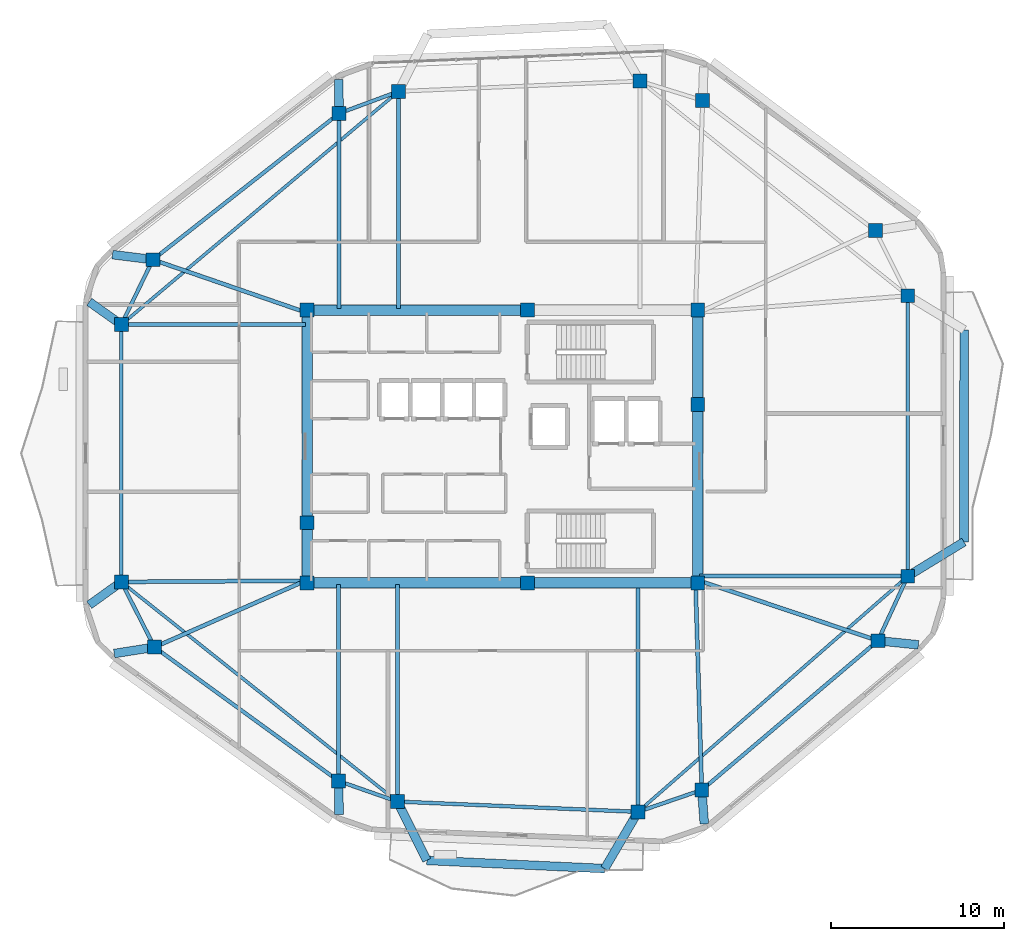
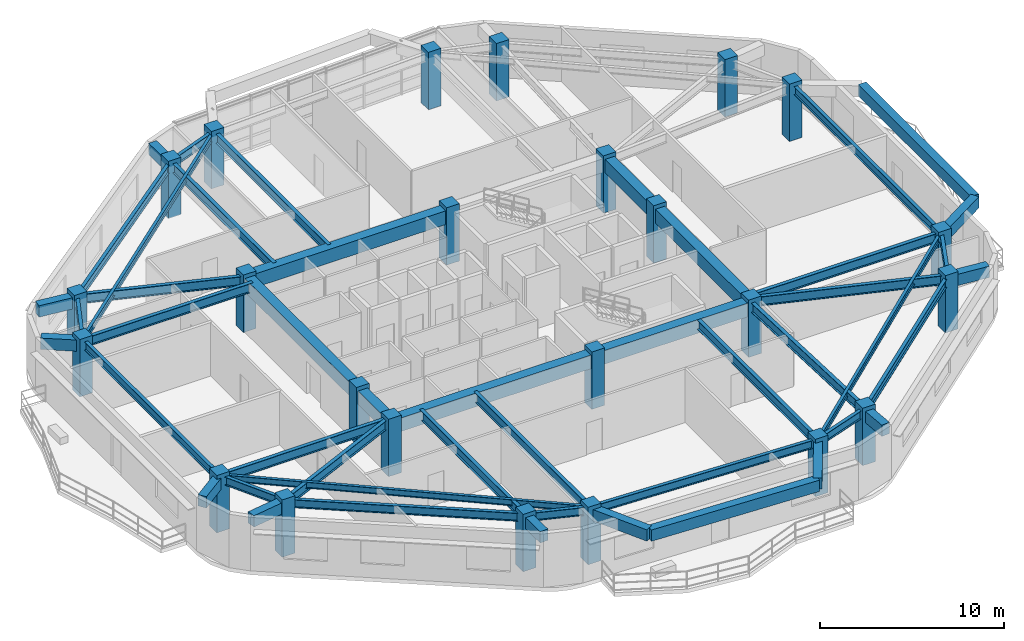
# One storey, part 1 of 12: 47 beams, 24 columns.
"""IFC4 building model written with IfcOpenShell, lengths in metres."""

from ifc_helpers import new_model, si_unit, direction, frame, origin, origin_2d, place, context, subcontext, project, spatial, rectangle, i_section, extrude, material, material_profile, profile_set, type_object, element, save


model = new_model("IFC4")

# Units and contexts
model_context = context("Model", 3, precision=1e-05, world=origin(), true_north=direction((0.0, 1.0)))
body_context = subcontext(model_context, "Body", "Model", "MODEL_VIEW")
ifc_project = project(units=[si_unit("LENGTHUNIT", "METRE"), si_unit("AREAUNIT", "SQUARE_METRE"), si_unit("VOLUMEUNIT", "CUBIC_METRE"), si_unit("PLANEANGLEUNIT", "RADIAN"), si_unit("MASSUNIT", "GRAM", prefix="KILO")], contexts=[model_context])

# Site, building, storey
site_placement = place(None, origin())
site = spatial("IfcSite", under=ifc_project, at=site_placement, CompositionType="ELEMENT")
building_placement = place(site_placement, origin())
building = spatial("IfcBuilding", under=site, at=building_placement, Name="Zulverin Broadcast Headquarters", CompositionType="ELEMENT")
storey_placement = place(building_placement, frame((0.0, 0.0, 293.39990234375)))
storey = spatial("IfcBuildingStorey", under=building, at=storey_placement, Name="L75", CompositionType="ELEMENT", Elevation=293.39990234375)

# Columns
ifc_material_1 = material(Name="Concrete C50/60", Category="concrete")
ifc_material_profile_1 = material_profile(ifc_material_1, rectangle(XDim=0.800048828125, YDim=0.800048828125, at=origin_2d()), Name="Concrete C50/60", Category="concrete")
ifc_profile_set_1 = profile_set([ifc_material_profile_1], Name="Concrete C50/60")
column_type_1 = type_object("IfcColumnType", Name="COL-RC-800", PredefinedType="COLUMN", material=ifc_profile_set_1)
for number, where, z_axis, x_axis, name in (
    (1, (30.93359375, 4.703125, 0.0), (0.0, 0.0, 1.0), (1.0, 0.0, 0.0), "L75 Perimeter Column T01"),
    (2, (44.826904296875, 4.1083984375, 0.0), (0.0, 0.0, 1.0), (1.0, 0.0, 0.0), "L75 Perimeter Column T02"),
    (3, (48.5078125, 5.3701171875, 0.0), (0.0, 0.0, 1.0), (1.0, 0.0, 0.0), "L75 Perimeter Column T03"),
    (4, (58.6748046875, 13.9892578125, 0.0), (0.0, 0.0, 1.0), (1.0, 0.0, 0.0), "L75 Perimeter Column T04"),
    (5, (60.39990234375, 17.713623046875, 0.0), (0.0, 0.0, 1.0), (1.0, 0.0, 0.0), "L75 Perimeter Column T05"),
    (6, (60.39990234375, 33.903076171875, 0.0), (0.0, 0.0, 1.0), (1.0, 0.0, 0.0), "L75 Perimeter Column T06"),
    (7, (58.52587890625, 37.661865234375, 0.0), (0.0, 0.0, 1.0), (1.0, 0.0, 0.0), "L75 Perimeter Column T07"),
    (8, (48.55908203125, 45.172607421875, 0.0), (0.0, 0.0, 1.0), (1.0, 0.0, 0.0), "L75 Perimeter Column T08"),
    (9, (44.944580078125, 46.296630859375, 0.0), (0.0, 0.0, 1.0), (1.0, 0.0, 0.0), "L75 Perimeter Column T09"),
    (10, (31.006591796875, 45.699951171875, 0.0), (0.0, 0.0, 1.0), (1.0, 0.0, 0.0), "L75 Perimeter Column T10"),
    (11, (27.573486328125, 44.4296875, 0.0), (0.0, 0.0, 1.0), (1.0, 0.0, 0.0), "L75 Perimeter Column T11"),
    (12, (16.82177734375, 35.98388671875, 0.0), (0.0, 0.0, 1.0), (1.0, 0.0, 0.0), "L75 Perimeter Column T12"),
    (13, (15.0, 32.236083984375, 0.0), (0.0, 0.0, 1.0), (1.0, 0.0, 0.0), "L75 Perimeter Column T13"),
    (14, (15.0, 17.383056640625, 0.0), (0.0, 0.0, 1.0), (1.0, 0.0, 0.0), "L75 Perimeter Column T14"),
    (15, (16.918212890625, 13.61572265625, 0.0), (0.0, 0.0, 1.0), (1.0, 0.0, 0.0), "L75 Perimeter Column T15"),
    (16, (27.54541015625, 5.8857421875, 0.0), (0.0, 0.0, 1.0), (1.0, 0.0, 0.0), "L75 Perimeter Column T16"),
):
    element("IfcColumn", number, at=place(storey_placement, frame(where, z_axis=z_axis, x_axis=x_axis)), inside=storey, type_object=column_type_1, Name=name, PredefinedType="COLUMN", context=body_context, shape_type="SweptSolid", body=[
        extrude(rectangle(XDim=0.800048828125, YDim=0.800048828125, at=origin_2d()), origin(), (0.0, 0.0, 1.0), 3.800048828125),
    ])
ifc_material_profile_2 = material_profile(ifc_material_1, rectangle(XDim=0.800048828125, YDim=0.800048828125, at=origin_2d()), Name="Concrete C50/60", Category="concrete")
ifc_profile_set_2 = profile_set([ifc_material_profile_2], Name="Concrete C50/60")
column_type_2 = type_object("IfcColumnType", Name="PIL-RC-800", PredefinedType="PILASTER", material=ifc_profile_set_2)
for number, where, z_axis, x_axis, name in (
    (17, (25.72509765625, 17.324951171875, 0.0), (0.0, 0.0, 1.0), (1.0, 0.0, 0.0), "L75 Core Pilaster K01"),
    (18, (38.449951171875, 17.324951171875, 0.0), (0.0, 0.0, 1.0), (1.0, 0.0, 0.0), "L75 Core Pilaster K02"),
    (19, (48.27490234375, 17.324951171875, 0.0), (0.0, 0.0, 1.0), (1.0, 0.0, 0.0), "L75 Core Pilaster K03"),
    (20, (48.27490234375, 27.6201171875, 0.0), (0.0, 0.0, 1.0), (1.0, 0.0, 0.0), "L75 Core Pilaster K04"),
    (21, (48.27490234375, 33.074951171875, 0.0), (0.0, 0.0, 1.0), (1.0, 0.0, 0.0), "L75 Core Pilaster K05"),
    (22, (38.449951171875, 33.074951171875, 0.0), (0.0, 0.0, 1.0), (1.0, 0.0, 0.0), "L75 Core Pilaster K06"),
    (23, (25.72509765625, 33.074951171875, 0.0), (0.0, 0.0, 1.0), (1.0, 0.0, 0.0), "L75 Core Pilaster K07"),
    (24, (25.72509765625, 20.800048828125, 0.0), (0.0, 0.0, 1.0), (1.0, 0.0, 0.0), "L75 Core Pilaster K08"),
):
    element("IfcColumn", number, at=place(storey_placement, frame(where, z_axis=z_axis, x_axis=x_axis)), inside=storey, type_object=column_type_2, Name=name, PredefinedType="PILASTER", context=body_context, shape_type="SweptSolid", body=[
        extrude(rectangle(XDim=0.800048828125, YDim=0.800048828125, at=origin_2d()), origin(), (0.0, 0.0, 1.0), 3.800048828125),
    ])

# Beams
ifc_material_2 = material(Name="Concrete C60/75", Category="concrete")
ifc_material_profile_3 = material_profile(ifc_material_2, rectangle(XDim=0.60009765625, YDim=0.89990234375, at=origin_2d()), Name="Concrete C60/75", Category="concrete")
ifc_profile_set_3 = profile_set([ifc_material_profile_3], Name="Concrete C60/75")
beam_type_1 = type_object("IfcBeamType", Name="BM-CB-600x900", PredefinedType="LINTEL", material=ifc_profile_set_3)
beam_1_placement = place(storey_placement, frame((25.72509765625, 17.324951171875, 3.090087890625), z_axis=(1.0, 0.0, 0.0), x_axis=(0.0, 1.0, 0.0)))
element("IfcBeam", 25, at=beam_1_placement, inside=storey, type_object=beam_type_1, Name="L75 Core Coupling Girder K01-K02", PredefinedType="LINTEL", context=body_context, shape_type="SweptSolid", body=[
    extrude(rectangle(XDim=0.60009765625, YDim=0.89990234375, at=origin_2d()), origin(), (0.0, 0.0, 1.0), 12.724853515625),
])
beam_2_placement = place(storey_placement, frame((38.449951171875, 17.324951171875, 3.090087890625), z_axis=(1.0, 0.0, 0.0), x_axis=(0.0, 1.0, 0.0)))
element("IfcBeam", 26, at=beam_2_placement, inside=storey, type_object=beam_type_1, Name="L75 Core Coupling Girder K02-K03", PredefinedType="LINTEL", context=body_context, shape_type="SweptSolid", body=[
    extrude(rectangle(XDim=0.60009765625, YDim=0.89990234375, at=origin_2d()), origin(), (0.0, 0.0, 1.0), 9.824951171875),
])
beam_3_placement = place(storey_placement, frame((48.27490234375, 17.324951171875, 3.090087890625), z_axis=(0.0, 1.0, 0.0), x_axis=(-1.0, 0.0, 0.0)))
element("IfcBeam", 27, at=beam_3_placement, inside=storey, type_object=beam_type_1, Name="L75 Core Coupling Girder K03-K04", PredefinedType="LINTEL", context=body_context, shape_type="SweptSolid", body=[
    extrude(rectangle(XDim=0.60009765625, YDim=0.89990234375, at=origin_2d()), origin(), (0.0, 0.0, 1.0), 10.295166015625),
])
beam_4_placement = place(storey_placement, frame((48.27490234375, 27.6201171875, 3.090087890625), z_axis=(0.0, 1.0, 0.0), x_axis=(-1.0, 0.0, 0.0)))
element("IfcBeam", 28, at=beam_4_placement, inside=storey, type_object=beam_type_1, Name="L75 Core Coupling Girder K04-K05", PredefinedType="LINTEL", context=body_context, shape_type="SweptSolid", body=[
    extrude(rectangle(XDim=0.60009765625, YDim=0.89990234375, at=origin_2d()), origin(), (0.0, 0.0, 1.0), 5.454833984375),
])
beam_5_placement = place(storey_placement, frame((38.449951171875, 33.074951171875, 3.090087890625), z_axis=(-1.0, 0.0, 0.0), x_axis=(0.0, -1.0, 0.0)))
element("IfcBeam", 29, at=beam_5_placement, inside=storey, type_object=beam_type_1, Name="L75 Core Coupling Girder K06-K07", PredefinedType="LINTEL", context=body_context, shape_type="SweptSolid", body=[
    extrude(rectangle(XDim=0.60009765625, YDim=0.89990234375, at=origin_2d()), origin(), (0.0, 0.0, 1.0), 12.724853515625),
])
beam_6_placement = place(storey_placement, frame((25.72509765625, 33.074951171875, 3.090087890625), z_axis=(0.0, -1.0, 0.0), x_axis=(1.0, 0.0, 0.0)))
element("IfcBeam", 30, at=beam_6_placement, inside=storey, type_object=beam_type_1, Name="L75 Core Coupling Girder K07-K08", PredefinedType="LINTEL", context=body_context, shape_type="SweptSolid", body=[
    extrude(rectangle(XDim=0.60009765625, YDim=0.89990234375, at=origin_2d()), origin(), (0.0, 0.0, 1.0), 12.27490234375),
])
beam_7_placement = place(storey_placement, frame((25.72509765625, 20.800048828125, 3.090087890625), z_axis=(0.0, -1.0, 0.0), x_axis=(1.0, 0.0, 0.0)))
element("IfcBeam", 31, at=beam_7_placement, inside=storey, type_object=beam_type_1, Name="L75 Core Coupling Girder K08-K01", PredefinedType="LINTEL", context=body_context, shape_type="SweptSolid", body=[
    extrude(rectangle(XDim=0.60009765625, YDim=0.89990234375, at=origin_2d()), origin(), (0.0, 0.0, 1.0), 3.47509765625),
])
ifc_material_3 = material(Name="Concrete C40/50", Category="concrete")
ifc_material_profile_4 = material_profile(ifc_material_3, rectangle(XDim=0.5, YDim=0.75, at=origin_2d()), Name="Concrete C40/50", Category="concrete")
ifc_profile_set_4 = profile_set([ifc_material_profile_4], Name="Concrete C40/50")
beam_type_2 = type_object("IfcBeamType", Name="BM-RC-500x750", PredefinedType="BEAM", material=ifc_profile_set_4)
beam_8_placement = place(storey_placement, frame((48.5078125, 5.3701171875, 3.1650390625), z_axis=(0.074434680239, -0.997225891349, 0.0), x_axis=(0.997225891349, 0.074434680239, 0.0)))
element("IfcBeam", 32, at=beam_8_placement, inside=storey, type_object=beam_type_2, Name="L76 Plate Overhang Back-Spanned Beam OVR-03", PredefinedType="BEAM", context=body_context, shape_type="SweptSolid", body=[
    extrude(rectangle(XDim=0.5, YDim=0.75, at=origin_2d()), origin(), (0.0, 0.0, 1.0), 1.964599609375),
])
beam_9_placement = place(storey_placement, frame((58.6748046875, 13.9892578125, 3.1650390625), z_axis=(0.994775761489, -0.10208420227, 0.0), x_axis=(0.10208420227, 0.994775761489, 0.0)))
element("IfcBeam", 33, at=beam_9_placement, inside=storey, type_object=beam_type_2, Name="L76 Plate Overhang Back-Spanned Beam OVR-04", PredefinedType="BEAM", context=body_context, shape_type="SweptSolid", body=[
    extrude(rectangle(XDim=0.5, YDim=0.75, at=origin_2d()), origin(), (0.0, 0.0, 1.0), 2.350830078125),
])
beam_10_placement = place(storey_placement, frame((27.573486328125, 44.4296875, 3.1650390625), z_axis=(-0.015261577794, 0.99988353534, 0.0), x_axis=(-0.99988353534, -0.015261577794, 0.0)))
element("IfcBeam", 34, at=beam_10_placement, inside=storey, type_object=beam_type_2, Name="L76 Plate Overhang Back-Spanned Beam OVR-11", PredefinedType="BEAM", context=body_context, shape_type="SweptSolid", body=[
    extrude(rectangle(XDim=0.5, YDim=0.75, at=origin_2d()), origin(), (0.0, 0.0, 1.0), 1.95166015625),
])
beam_11_placement = place(storey_placement, frame((16.82177734375, 35.98388671875, 3.1650390625), z_axis=(-0.992249101717, 0.124264718012, 0.0), x_axis=(-0.124264718012, -0.992249101717, 0.0)))
element("IfcBeam", 35, at=beam_11_placement, inside=storey, type_object=beam_type_2, Name="L76 Plate Overhang Back-Spanned Beam OVR-12", PredefinedType="BEAM", context=body_context, shape_type="SweptSolid", body=[
    extrude(rectangle(XDim=0.5, YDim=0.75, at=origin_2d()), origin(), (0.0, 0.0, 1.0), 2.351806640625),
])
beam_12_placement = place(storey_placement, frame((15.0, 32.236083984375, 3.1650390625), z_axis=(-0.815707033577, 0.578465241283, 0.0), x_axis=(-0.578465241283, -0.815707033577, 0.0)))
element("IfcBeam", 36, at=beam_12_placement, inside=storey, type_object=beam_type_2, Name="L76 Plate Overhang Back-Spanned Beam OVR-13", PredefinedType="BEAM", context=body_context, shape_type="SweptSolid", body=[
    extrude(rectangle(XDim=0.5, YDim=0.75, at=origin_2d()), origin(), (0.0, 0.0, 1.0), 2.26806640625),
])
beam_13_placement = place(storey_placement, frame((15.0, 17.383056640625, 3.1650390625), z_axis=(-0.811694809548, -0.584081788924, 0.0), x_axis=(0.584081788924, -0.811694809548, 0.0)))
element("IfcBeam", 37, at=beam_13_placement, inside=storey, type_object=beam_type_2, Name="L76 Plate Overhang Back-Spanned Beam OVR-14", PredefinedType="BEAM", context=body_context, shape_type="SweptSolid", body=[
    extrude(rectangle(XDim=0.5, YDim=0.75, at=origin_2d()), origin(), (0.0, 0.0, 1.0), 2.279296875),
])
beam_14_placement = place(storey_placement, frame((16.918212890625, 13.61572265625, 3.1650390625), z_axis=(-0.987723457787, -0.156212582521, 0.0), x_axis=(0.156212582521, -0.987723457787, 0.0)))
element("IfcBeam", 38, at=beam_14_placement, inside=storey, type_object=beam_type_2, Name="L76 Plate Overhang Back-Spanned Beam OVR-15", PredefinedType="BEAM", context=body_context, shape_type="SweptSolid", body=[
    extrude(rectangle(XDim=0.5, YDim=0.75, at=origin_2d()), origin(), (0.0, 0.0, 1.0), 2.35693359375),
])
beam_15_placement = place(storey_placement, frame((27.54541015625, 5.8857421875, 3.1650390625), z_axis=(0.012082189143, -0.999927007689, 0.0), x_axis=(0.999927007689, 0.012082189143, 0.0)))
element("IfcBeam", 39, at=beam_15_placement, inside=storey, type_object=beam_type_2, Name="L76 Plate Overhang Back-Spanned Beam OVR-16", PredefinedType="BEAM", context=body_context, shape_type="SweptSolid", body=[
    extrude(rectangle(XDim=0.5, YDim=0.75, at=origin_2d()), origin(), (0.0, 0.0, 1.0), 1.93994140625),
])
beam_16_placement = place(storey_placement, frame((60.39990234375, 17.713623046875, 3.1650390625), z_axis=(0.853361233194, 0.521320060694, 0.0), x_axis=(-0.521320060694, 0.853361233194, 0.0)))
element("IfcBeam", 40, at=beam_16_placement, inside=storey, type_object=beam_type_2, Name="L76 Balcony Column-Framed Cantilever BAL_E-1", PredefinedType="BEAM", context=body_context, shape_type="SweptSolid", body=[
    extrude(rectangle(XDim=0.5, YDim=0.75, at=origin_2d()), origin(), (0.0, 0.0, 1.0), 3.7998046875),
])
beam_17_placement = place(storey_placement, frame((63.642578125, 19.694580078125, 3.1650390625), z_axis=(0.000757802156, 0.999999712868, 0.0), x_axis=(-0.999999712868, 0.000757802156, 0.0)))
element("IfcBeam", 41, at=beam_17_placement, inside=storey, type_object=beam_type_2, Name="L76 Balcony Outer Edge Trimmer Beam BAL_E", PredefinedType="BEAM", context=body_context, shape_type="SweptSolid", body=[
    extrude(rectangle(XDim=0.5, YDim=0.75, at=origin_2d()), origin(), (0.0, 0.0, 1.0), 12.242431640625),
])
beam_18_placement = place(storey_placement, frame((30.93359375, 4.703125, 3.1650390625), z_axis=(0.448138545503, -0.893964117868, 0.0), x_axis=(0.893964117868, 0.448138545503, 0.0)))
element("IfcBeam", 42, at=beam_18_placement, inside=storey, type_object=beam_type_2, Name="L76 Balcony Column-Framed Cantilever BAL_S-1", PredefinedType="BEAM", context=body_context, shape_type="SweptSolid", body=[
    extrude(rectangle(XDim=0.5, YDim=0.75, at=origin_2d()), origin(), (0.0, 0.0, 1.0), 3.7998046875),
])
beam_19_placement = place(storey_placement, frame((44.826904296875, 4.1083984375, 3.1650390625), z_axis=(-0.506983625126, -0.861955685551, 0.0), x_axis=(0.861955685551, -0.506983625126, 0.0)))
element("IfcBeam", 43, at=beam_19_placement, inside=storey, type_object=beam_type_2, Name="L76 Balcony Column-Framed Cantilever BAL_S-2", PredefinedType="BEAM", context=body_context, shape_type="SweptSolid", body=[
    extrude(rectangle(XDim=0.5, YDim=0.75, at=origin_2d()), origin(), (0.0, 0.0, 1.0), 3.800048828125),
])
beam_20_placement = place(storey_placement, frame((32.636474609375, 1.30615234375, 3.1650390625), z_axis=(0.998939184183, -0.046048955518, 0.0), x_axis=(0.046048955518, 0.998939184183, 0.0)))
element("IfcBeam", 44, at=beam_20_placement, inside=storey, type_object=beam_type_2, Name="L76 Balcony Outer Edge Trimmer Beam BAL_S", PredefinedType="BEAM", context=body_context, shape_type="SweptSolid", body=[
    extrude(rectangle(XDim=0.5, YDim=0.75, at=origin_2d()), origin(), (0.0, 0.0, 1.0), 10.27490234375),
])
ifc_material_4 = material(Name="Structural steel S355JR", Category="steel")
ifc_material_profile_5 = material_profile(ifc_material_4, i_section(OverallWidth=0.179443359375, OverallDepth=0.412841796875, WebThickness=0.009521484375, FlangeThickness=0.01611328125, at=origin_2d()), Name="Structural steel S355JR", Category="steel")
ifc_profile_set_5 = profile_set([ifc_material_profile_5], Name="Structural steel S355JR")
beam_type_3 = type_object("IfcBeamType", Name="BM-UB-406", PredefinedType="JOIST", material=ifc_profile_set_5)
beam_21_placement = place(storey_placement, frame((44.826904296875, 4.1083984375, 3.333740234375), z_axis=(0.753083303383, 0.657925176723, 0.0), x_axis=(-0.657925176723, 0.753083303383, 0.0)))
element("IfcBeam", 45, at=beam_21_placement, inside=storey, type_object=beam_type_3, Name="L75 Chordal Floor Joist J-01", PredefinedType="JOIST", context=body_context, shape_type="SweptSolid", body=[
    extrude(i_section(OverallWidth=0.179443359375, OverallDepth=0.412841796875, WebThickness=0.009521484375, FlangeThickness=0.01611328125, at=origin_2d()), origin(), (0.0, 0.0, 1.0), 20.678955078125),
])
beam_22_placement = place(storey_placement, frame((31.006591796875, 45.699951171875, 3.333740234375), z_axis=(-0.765273089862, -0.643705754156, 0.0), x_axis=(0.643705754156, -0.765273089862, 0.0)))
element("IfcBeam", 46, at=beam_22_placement, inside=storey, type_object=beam_type_3, Name="L75 Chordal Floor Joist J-03", PredefinedType="JOIST", context=body_context, shape_type="SweptSolid", body=[
    extrude(i_section(OverallWidth=0.179443359375, OverallDepth=0.412841796875, WebThickness=0.009521484375, FlangeThickness=0.01611328125, at=origin_2d()), origin(), (0.0, 0.0, 1.0), 20.916259765625),
])
beam_23_placement = place(storey_placement, frame((15.0, 17.383056640625, 3.333740234375), z_axis=(0.782469878912, -0.622688436214, 0.0), x_axis=(0.622688436214, 0.782469878912, 0.0)))
element("IfcBeam", 47, at=beam_23_placement, inside=storey, type_object=beam_type_3, Name="L75 Chordal Floor Joist J-04", PredefinedType="JOIST", context=body_context, shape_type="SweptSolid", body=[
    extrude(i_section(OverallWidth=0.179443359375, OverallDepth=0.412841796875, WebThickness=0.009521484375, FlangeThickness=0.01611328125, at=origin_2d()), origin(), (0.0, 0.0, 1.0), 20.36328125),
])
ifc_material_profile_6 = material_profile(ifc_material_4, i_section(OverallWidth=0.2119140625, OverallDepth=0.54443359375, WebThickness=0.0126953125, FlangeThickness=0.021240234375, at=origin_2d()), Name="Structural steel S355JR", Category="steel")
ifc_profile_set_6 = profile_set([ifc_material_profile_6], Name="Structural steel S355JR")
beam_type_4 = type_object("IfcBeamType", Name="BM-UB-533", PredefinedType="SPANDREL", material=ifc_profile_set_6)
beam_24_placement = place(storey_placement, frame((30.93359375, 4.703125, 3.267822265625), z_axis=(0.999085051108, -0.042767518662, 0.0), x_axis=(0.042767518662, 0.999085051108, 0.0)))
element("IfcBeam", 48, at=beam_24_placement, inside=storey, type_object=beam_type_4, Name="L75 Perimeter Spandrel Beam SP-01", PredefinedType="SPANDREL", context=body_context, shape_type="SweptSolid", body=[
    extrude(i_section(OverallWidth=0.2119140625, OverallDepth=0.54443359375, WebThickness=0.0126953125, FlangeThickness=0.021240234375, at=origin_2d()), origin(), (0.0, 0.0, 1.0), 13.906005859375),
])
beam_25_placement = place(storey_placement, frame((44.826904296875, 4.1083984375, 3.267822265625), z_axis=(0.945970142065, 0.324253743728, 0.0), x_axis=(-0.324253743728, 0.945970142065, 0.0)))
element("IfcBeam", 49, at=beam_25_placement, inside=storey, type_object=beam_type_4, Name="L75 Perimeter Spandrel Beam SP-02", PredefinedType="SPANDREL", context=body_context, shape_type="SweptSolid", body=[
    extrude(i_section(OverallWidth=0.2119140625, OverallDepth=0.54443359375, WebThickness=0.0126953125, FlangeThickness=0.021240234375, at=origin_2d()), origin(), (0.0, 0.0, 1.0), 3.89111328125),
])
beam_26_placement = place(storey_placement, frame((48.5078125, 5.3701171875, 3.267822265625), z_axis=(0.762782889345, 0.646654671152, 0.0), x_axis=(-0.646654671152, 0.762782889345, 0.0)))
element("IfcBeam", 50, at=beam_26_placement, inside=storey, type_object=beam_type_4, Name="L75 Perimeter Spandrel Beam SP-03", PredefinedType="SPANDREL", context=body_context, shape_type="SweptSolid", body=[
    extrude(i_section(OverallWidth=0.2119140625, OverallDepth=0.54443359375, WebThickness=0.0126953125, FlangeThickness=0.021240234375, at=origin_2d()), origin(), (0.0, 0.0, 1.0), 13.328857421875),
])
beam_27_placement = place(storey_placement, frame((58.6748046875, 13.9892578125, 3.267822265625), z_axis=(0.420294999852, 0.907387520908, 0.0), x_axis=(-0.907387520908, 0.420294999852, 0.0)))
element("IfcBeam", 51, at=beam_27_placement, inside=storey, type_object=beam_type_4, Name="L75 Perimeter Spandrel Beam SP-04", PredefinedType="SPANDREL", context=body_context, shape_type="SweptSolid", body=[
    extrude(i_section(OverallWidth=0.2119140625, OverallDepth=0.54443359375, WebThickness=0.0126953125, FlangeThickness=0.021240234375, at=origin_2d()), origin(), (0.0, 0.0, 1.0), 4.1044921875),
])
beam_28_placement = place(storey_placement, frame((60.39990234375, 17.713623046875, 3.267822265625), z_axis=(0.0, 1.0, 0.0), x_axis=(-1.0, 0.0, 0.0)))
element("IfcBeam", 52, at=beam_28_placement, inside=storey, type_object=beam_type_4, Name="L75 Perimeter Spandrel Beam SP-05", PredefinedType="SPANDREL", context=body_context, shape_type="SweptSolid", body=[
    extrude(i_section(OverallWidth=0.2119140625, OverallDepth=0.54443359375, WebThickness=0.0126953125, FlangeThickness=0.021240234375, at=origin_2d()), origin(), (0.0, 0.0, 1.0), 16.189453125),
])
beam_29_placement = place(storey_placement, frame((31.006591796875, 45.699951171875, 3.267822265625), z_axis=(-0.937860540342, -0.347012401607, 0.0), x_axis=(0.347012401607, -0.937860540342, 0.0)))
element("IfcBeam", 53, at=beam_29_placement, inside=storey, type_object=beam_type_4, Name="L75 Perimeter Spandrel Beam SP-10", PredefinedType="SPANDREL", context=body_context, shape_type="SweptSolid", body=[
    extrude(i_section(OverallWidth=0.2119140625, OverallDepth=0.54443359375, WebThickness=0.0126953125, FlangeThickness=0.021240234375, at=origin_2d()), origin(), (0.0, 0.0, 1.0), 3.66064453125),
])
beam_30_placement = place(storey_placement, frame((27.573486328125, 44.4296875, 3.267822265625), z_axis=(-0.786388352061, -0.617732433779, 0.0), x_axis=(0.617732433779, -0.786388352061, 0.0)))
element("IfcBeam", 54, at=beam_30_placement, inside=storey, type_object=beam_type_4, Name="L75 Perimeter Spandrel Beam SP-11", PredefinedType="SPANDREL", context=body_context, shape_type="SweptSolid", body=[
    extrude(i_section(OverallWidth=0.2119140625, OverallDepth=0.54443359375, WebThickness=0.0126953125, FlangeThickness=0.021240234375, at=origin_2d()), origin(), (0.0, 0.0, 1.0), 13.67236328125),
])
beam_31_placement = place(storey_placement, frame((16.82177734375, 35.98388671875, 3.267822265625), z_axis=(-0.437178884994, -0.899374572976, 0.0), x_axis=(0.899374572976, -0.437178884994, 0.0)))
element("IfcBeam", 55, at=beam_31_placement, inside=storey, type_object=beam_type_4, Name="L75 Perimeter Spandrel Beam SP-12", PredefinedType="SPANDREL", context=body_context, shape_type="SweptSolid", body=[
    extrude(i_section(OverallWidth=0.2119140625, OverallDepth=0.54443359375, WebThickness=0.0126953125, FlangeThickness=0.021240234375, at=origin_2d()), origin(), (0.0, 0.0, 1.0), 4.167236328125),
])
beam_32_placement = place(storey_placement, frame((15.0, 32.236083984375, 3.267822265625), z_axis=(0.0, -1.0, 0.0), x_axis=(1.0, 0.0, 0.0)))
element("IfcBeam", 56, at=beam_32_placement, inside=storey, type_object=beam_type_4, Name="L75 Perimeter Spandrel Beam SP-13", PredefinedType="SPANDREL", context=body_context, shape_type="SweptSolid", body=[
    extrude(i_section(OverallWidth=0.2119140625, OverallDepth=0.54443359375, WebThickness=0.0126953125, FlangeThickness=0.021240234375, at=origin_2d()), origin(), (0.0, 0.0, 1.0), 14.85302734375),
])
beam_33_placement = place(storey_placement, frame((15.0, 17.383056640625, 3.267822265625), z_axis=(0.453738909408, -0.89113467113, 0.0), x_axis=(0.89113467113, 0.453738909408, 0.0)))
element("IfcBeam", 57, at=beam_33_placement, inside=storey, type_object=beam_type_4, Name="L75 Perimeter Spandrel Beam SP-14", PredefinedType="SPANDREL", context=body_context, shape_type="SweptSolid", body=[
    extrude(i_section(OverallWidth=0.2119140625, OverallDepth=0.54443359375, WebThickness=0.0126953125, FlangeThickness=0.021240234375, at=origin_2d()), origin(), (0.0, 0.0, 1.0), 4.2275390625),
])
beam_34_placement = place(storey_placement, frame((16.918212890625, 13.61572265625, 3.267822265625), z_axis=(0.808695913066, -0.588226929162, 0.0), x_axis=(0.588226929162, 0.808695913066, 0.0)))
element("IfcBeam", 58, at=beam_34_placement, inside=storey, type_object=beam_type_4, Name="L75 Perimeter Spandrel Beam SP-15", PredefinedType="SPANDREL", context=body_context, shape_type="SweptSolid", body=[
    extrude(i_section(OverallWidth=0.2119140625, OverallDepth=0.54443359375, WebThickness=0.0126953125, FlangeThickness=0.021240234375, at=origin_2d()), origin(), (0.0, 0.0, 1.0), 13.14111328125),
])
beam_35_placement = place(storey_placement, frame((27.54541015625, 5.8857421875, 3.267822265625), z_axis=(0.944140138036, -0.329544230339, 0.0), x_axis=(0.329544230339, 0.944140138036, 0.0)))
element("IfcBeam", 59, at=beam_35_placement, inside=storey, type_object=beam_type_4, Name="L75 Perimeter Spandrel Beam SP-16", PredefinedType="SPANDREL", context=body_context, shape_type="SweptSolid", body=[
    extrude(i_section(OverallWidth=0.2119140625, OverallDepth=0.54443359375, WebThickness=0.0126953125, FlangeThickness=0.021240234375, at=origin_2d()), origin(), (0.0, 0.0, 1.0), 3.588623046875),
])
ifc_material_profile_7 = material_profile(ifc_material_4, i_section(OverallWidth=0.230224609375, OverallDepth=0.6171875, WebThickness=0.01318359375, FlangeThickness=0.022216796875, at=origin_2d()), Name="Structural steel S355JR", Category="steel")
ifc_profile_set_7 = profile_set([ifc_material_profile_7], Name="Structural steel S355JR")
beam_type_5 = type_object("IfcBeamType", Name="BM-UB-610", PredefinedType="BEAM", material=ifc_profile_set_7)
beam_36_placement = place(storey_placement, frame((30.93359375, 17.22509765625, 3.2314453125), z_axis=(0.0, -1.0, 0.0), x_axis=(1.0, 0.0, 0.0)))
element("IfcBeam", 60, at=beam_36_placement, inside=storey, type_object=beam_type_5, Name="L75 Radial Primary Floor Beam RB-01", PredefinedType="BEAM", context=body_context, shape_type="SweptSolid", body=[
    extrude(i_section(OverallWidth=0.230224609375, OverallDepth=0.6171875, WebThickness=0.01318359375, FlangeThickness=0.022216796875, at=origin_2d()), origin(), (0.0, 0.0, 1.0), 12.52197265625),
])
beam_37_placement = place(storey_placement, frame((44.826904296875, 17.22509765625, 3.2314453125), z_axis=(0.0, -1.0, 0.0), x_axis=(1.0, 0.0, 0.0)))
element("IfcBeam", 61, at=beam_37_placement, inside=storey, type_object=beam_type_5, Name="L75 Radial Primary Floor Beam RB-02", PredefinedType="BEAM", context=body_context, shape_type="SweptSolid", body=[
    extrude(i_section(OverallWidth=0.230224609375, OverallDepth=0.6171875, WebThickness=0.01318359375, FlangeThickness=0.022216796875, at=origin_2d()), origin(), (0.0, 0.0, 1.0), 13.11669921875),
])
beam_38_placement = place(storey_placement, frame((48.14990234375, 17.22509765625, 3.2314453125), z_axis=(0.030176950096, -0.999544572134, 0.0), x_axis=(0.999544572134, 0.030176950096, 0.0)))
element("IfcBeam", 62, at=beam_38_placement, inside=storey, type_object=beam_type_5, Name="L75 Radial Primary Floor Beam RB-03", PredefinedType="BEAM", context=body_context, shape_type="SweptSolid", body=[
    extrude(i_section(OverallWidth=0.230224609375, OverallDepth=0.6171875, WebThickness=0.01318359375, FlangeThickness=0.022216796875, at=origin_2d()), origin(), (0.0, 0.0, 1.0), 11.8603515625),
])
beam_39_placement = place(storey_placement, frame((48.375, 17.449951171875, 3.2314453125), z_axis=(0.947923372096, -0.318498478228, 0.0), x_axis=(0.318498478228, 0.947923372096, 0.0)))
element("IfcBeam", 63, at=beam_39_placement, inside=storey, type_object=beam_type_5, Name="L75 Radial Primary Floor Beam RB-04", PredefinedType="BEAM", context=body_context, shape_type="SweptSolid", body=[
    extrude(i_section(OverallWidth=0.230224609375, OverallDepth=0.6171875, WebThickness=0.01318359375, FlangeThickness=0.022216796875, at=origin_2d()), origin(), (0.0, 0.0, 1.0), 10.86572265625),
])
beam_40_placement = place(storey_placement, frame((48.375, 17.713623046875, 3.2314453125), z_axis=(1.0, 0.0, 0.0), x_axis=(0.0, 1.0, 0.0)))
element("IfcBeam", 64, at=beam_40_placement, inside=storey, type_object=beam_type_5, Name="L75 Radial Primary Floor Beam RB-05", PredefinedType="BEAM", context=body_context, shape_type="SweptSolid", body=[
    extrude(i_section(OverallWidth=0.230224609375, OverallDepth=0.6171875, WebThickness=0.01318359375, FlangeThickness=0.022216796875, at=origin_2d()), origin(), (0.0, 0.0, 1.0), 12.02490234375),
])
beam_41_placement = place(storey_placement, frame((31.006591796875, 33.175048828125, 3.2314453125), z_axis=(0.0, 1.0, 0.0), x_axis=(-1.0, 0.0, 0.0)))
element("IfcBeam", 65, at=beam_41_placement, inside=storey, type_object=beam_type_5, Name="L75 Radial Primary Floor Beam RB-10", PredefinedType="BEAM", context=body_context, shape_type="SweptSolid", body=[
    extrude(i_section(OverallWidth=0.230224609375, OverallDepth=0.6171875, WebThickness=0.01318359375, FlangeThickness=0.022216796875, at=origin_2d()), origin(), (0.0, 0.0, 1.0), 12.52490234375),
])
beam_42_placement = place(storey_placement, frame((27.573486328125, 33.175048828125, 3.2314453125), z_axis=(0.0, 1.0, 0.0), x_axis=(-1.0, 0.0, 0.0)))
element("IfcBeam", 66, at=beam_42_placement, inside=storey, type_object=beam_type_5, Name="L75 Radial Primary Floor Beam RB-11", PredefinedType="BEAM", context=body_context, shape_type="SweptSolid", body=[
    extrude(i_section(OverallWidth=0.230224609375, OverallDepth=0.6171875, WebThickness=0.01318359375, FlangeThickness=0.022216796875, at=origin_2d()), origin(), (0.0, 0.0, 1.0), 11.254638671875),
])
beam_43_placement = place(storey_placement, frame((25.625, 32.949951171875, 3.2314453125), z_axis=(-0.945427859505, 0.325831493984, 0.0), x_axis=(-0.325831493984, -0.945427859505, 0.0)))
element("IfcBeam", 67, at=beam_43_placement, inside=storey, type_object=beam_type_5, Name="L75 Radial Primary Floor Beam RB-12", PredefinedType="BEAM", context=body_context, shape_type="SweptSolid", body=[
    extrude(i_section(OverallWidth=0.230224609375, OverallDepth=0.6171875, WebThickness=0.01318359375, FlangeThickness=0.022216796875, at=origin_2d()), origin(), (0.0, 0.0, 1.0), 9.311279296875),
])
beam_44_placement = place(storey_placement, frame((25.625, 32.236083984375, 3.2314453125), z_axis=(-1.0, 0.0, 0.0), x_axis=(0.0, -1.0, 0.0)))
element("IfcBeam", 68, at=beam_44_placement, inside=storey, type_object=beam_type_5, Name="L75 Radial Primary Floor Beam RB-13", PredefinedType="BEAM", context=body_context, shape_type="SweptSolid", body=[
    extrude(i_section(OverallWidth=0.230224609375, OverallDepth=0.6171875, WebThickness=0.01318359375, FlangeThickness=0.022216796875, at=origin_2d()), origin(), (0.0, 0.0, 1.0), 10.625),
])
beam_45_placement = place(storey_placement, frame((25.625, 17.449951171875, 3.2314453125), z_axis=(-0.999980181059, -0.006295831103, 0.0), x_axis=(0.006295831103, -0.999980181059, 0.0)))
element("IfcBeam", 69, at=beam_45_placement, inside=storey, type_object=beam_type_5, Name="L75 Radial Primary Floor Beam RB-14", PredefinedType="BEAM", context=body_context, shape_type="SweptSolid", body=[
    extrude(i_section(OverallWidth=0.230224609375, OverallDepth=0.6171875, WebThickness=0.01318359375, FlangeThickness=0.022216796875, at=origin_2d()), origin(), (0.0, 0.0, 1.0), 10.625244140625),
])
beam_46_placement = place(storey_placement, frame((25.625, 17.449951171875, 3.2314453125), z_axis=(-0.915189360301, -0.403024111924, 0.0), x_axis=(0.403024111924, -0.915189360301, 0.0)))
element("IfcBeam", 70, at=beam_46_placement, inside=storey, type_object=beam_type_5, Name="L75 Radial Primary Floor Beam RB-15", PredefinedType="BEAM", context=body_context, shape_type="SweptSolid", body=[
    extrude(i_section(OverallWidth=0.230224609375, OverallDepth=0.6171875, WebThickness=0.01318359375, FlangeThickness=0.022216796875, at=origin_2d()), origin(), (0.0, 0.0, 1.0), 9.513671875),
])
beam_47_placement = place(storey_placement, frame((27.54541015625, 17.22509765625, 3.2314453125), z_axis=(0.0, -1.0, 0.0), x_axis=(1.0, 0.0, 0.0)))
element("IfcBeam", 71, at=beam_47_placement, inside=storey, type_object=beam_type_5, Name="L75 Radial Primary Floor Beam RB-16", PredefinedType="BEAM", context=body_context, shape_type="SweptSolid", body=[
    extrude(i_section(OverallWidth=0.230224609375, OverallDepth=0.6171875, WebThickness=0.01318359375, FlangeThickness=0.022216796875, at=origin_2d()), origin(), (0.0, 0.0, 1.0), 11.33935546875),
])

save(model, "model.ifc")
